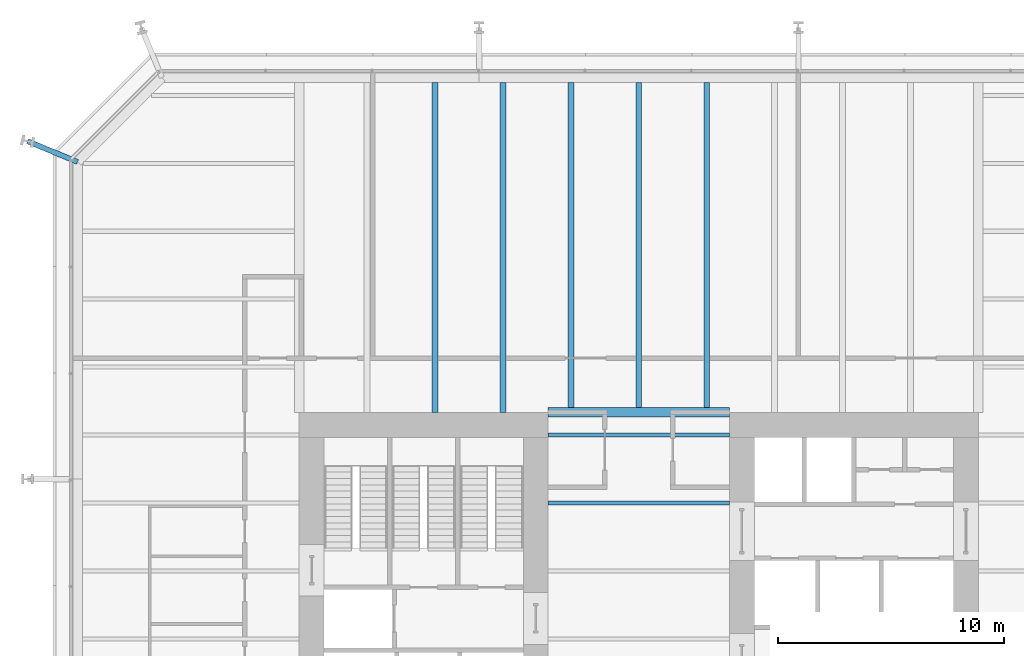
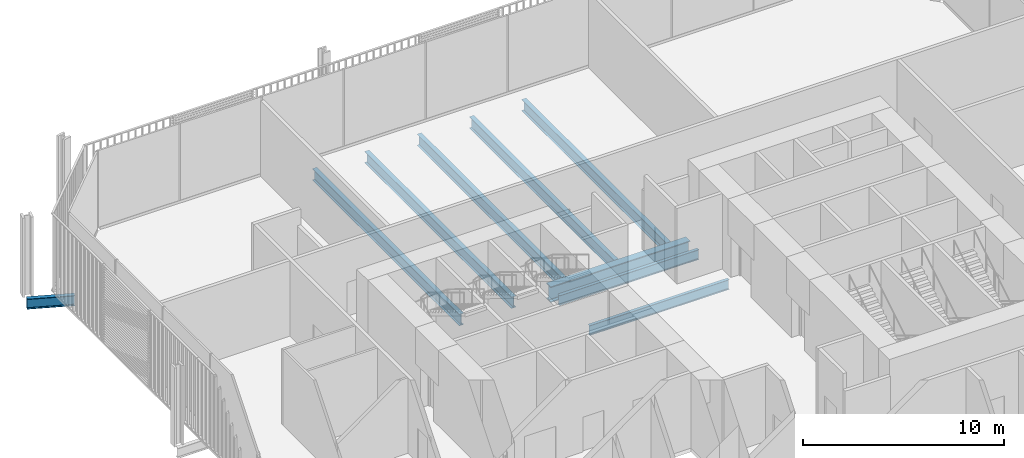
# One storey, part 13 of 22: 9 beams.
"""IFC4 building model written with IfcOpenShell, lengths in metres."""

from ifc_helpers import new_model, si_unit, direction, frame, origin, origin_2d, place, context, subcontext, project, spatial, i_section, extrude, material, material_profile, profile_set, type_object, element, save


model = new_model("IFC4")

# Units and contexts
model_context = context("Model", 3, precision=1e-05, world=origin(), true_north=direction((0.0, 1.0)))
body_context = subcontext(model_context, "Body", "Model", "MODEL_VIEW")
ifc_project = project(units=[si_unit("LENGTHUNIT", "METRE"), si_unit("AREAUNIT", "SQUARE_METRE"), si_unit("VOLUMEUNIT", "CUBIC_METRE"), si_unit("PLANEANGLEUNIT", "RADIAN"), si_unit("MASSUNIT", "GRAM", prefix="KILO")], contexts=[model_context])

# Site, building, storey
site_placement = place(None, origin())
site = spatial("IfcSite", under=ifc_project, at=site_placement, CompositionType="ELEMENT")
building_placement = place(site_placement, origin())
building = spatial("IfcBuilding", under=site, at=building_placement, Name="Millrace Tower", CompositionType="ELEMENT")
storey_placement = place(building_placement, frame((0.0, 0.0, 49.699951171875)))
storey = spatial("IfcBuildingStorey", under=building, at=storey_placement, Name="L11", CompositionType="ELEMENT", Elevation=49.699951171875)

# Beams
ifc_material_1 = material(Name="Steel ASTM A992 Grade 50", Category="steel")
ifc_material_profile_1 = material_profile(ifc_material_1, i_section(OverallWidth=0.177978515625, OverallDepth=0.599365234375, WebThickness=0.010009765625, FlangeThickness=0.012939453125, FilletRadius=0.012939453125, at=origin_2d()))
ifc_profile_set_1 = profile_set([ifc_material_profile_1], Name="Steel ASTM A992 Grade 50")
beam_type_1 = type_object("IfcBeamType", Name="Floor beam W24x55", PredefinedType="JOIST", material=ifc_profile_set_1)
for number, where, z_axis, x_axis, name in (
    (1, (-4.0, 6.0, -0.524658203125), (1.0, 0.0, 0.0), (0.0, 1.0, 0.0), "BM-A-L11-S1-S026"),
    (2, (-4.0, 9.0, -0.524658203125), (1.0, 0.0, 0.0), (0.0, 1.0, 0.0), "BM-A-L11-S1-S029"),
):
    element("IfcBeam", number, at=place(storey_placement, frame(where, z_axis=z_axis, x_axis=x_axis)), inside=storey, type_object=beam_type_1, Name=name, PredefinedType="JOIST", context=body_context, shape_type="SweptSolid", body=[
        extrude(i_section(OverallWidth=0.177978515625, OverallDepth=0.599365234375, WebThickness=0.010009765625, FlangeThickness=0.012939453125, FilletRadius=0.012939453125, at=origin_2d()), origin(), (0.0, 0.0, 1.0), 8.0),
    ])
ifc_material_2 = material(Name="Steel ASTM A992 Grade 50", Category="steel")
ifc_material_profile_2 = material_profile(ifc_material_2, i_section(OverallWidth=0.256591796875, OverallDepth=0.693359375, WebThickness=0.014404296875, FlangeThickness=0.023681640625, FilletRadius=0.01513671875, at=origin_2d()))
ifc_profile_set_2 = profile_set([ifc_material_profile_2], Name="Steel ASTM A992 Grade 50")
beam_type_2 = type_object("IfcBeamType", Name="Floor beam W27x114", PredefinedType="JOIST", material=ifc_profile_set_2)
for number, where, z_axis, x_axis, name in (
    (3, (-9.0, 10.0, -0.57177734375), (0.0, 1.0, 0.0), (-1.0, 0.0, 0.0), "BM-A-L11-S1-S044"),
    (4, (-6.0, 10.0, -0.57177734375), (0.0, 1.0, 0.0), (-1.0, 0.0, 0.0), "BM-A-L11-S1-S046"),
):
    element("IfcBeam", number, at=place(storey_placement, frame(where, z_axis=z_axis, x_axis=x_axis)), inside=storey, type_object=beam_type_2, Name=name, PredefinedType="JOIST", context=body_context, shape_type="SweptSolid", body=[
        extrude(i_section(OverallWidth=0.256591796875, OverallDepth=0.693359375, WebThickness=0.014404296875, FlangeThickness=0.023681640625, FilletRadius=0.01513671875, at=origin_2d()), origin(), (0.0, 0.0, 1.0), 14.578369140625),
    ])
for number, where, z_axis, x_axis, name in (
    (5, (-3.0, 10.212158203125, -0.57177734375), (0.0, 1.0, 0.0), (-1.0, 0.0, 0.0), "BM-A-L11-S1-S048"),
    (6, (0.0, 10.212158203125, -0.57177734375), (0.0, 1.0, 0.0), (-1.0, 0.0, 0.0), "BM-A-L11-S1-S050"),
    (7, (3.0, 10.212158203125, -0.57177734375), (0.0, 1.0, 0.0), (-1.0, 0.0, 0.0), "BM-A-L11-S1-S052"),
):
    element("IfcBeam", number, at=place(storey_placement, frame(where, z_axis=z_axis, x_axis=x_axis)), inside=storey, type_object=beam_type_2, Name=name, PredefinedType="JOIST", context=body_context, shape_type="SweptSolid", body=[
        extrude(i_section(OverallWidth=0.256591796875, OverallDepth=0.693359375, WebThickness=0.014404296875, FlangeThickness=0.023681640625, FilletRadius=0.01513671875, at=origin_2d()), origin(), (0.0, 0.0, 1.0), 14.3662109375),
    ])
ifc_material_3 = material(Name="Steel ASTM A992 Grade 50", Category="steel")
ifc_material_profile_3 = material_profile(ifc_material_3, i_section(OverallWidth=0.424072265625, OverallDepth=0.947509765625, WebThickness=0.02392578125, FlangeThickness=0.042724609375, FilletRadius=0.024169921875, at=origin_2d()))
ifc_profile_set_3 = profile_set([ifc_material_profile_3], Name="Steel ASTM A992 Grade 50")
beam_type_3 = type_object("IfcBeamType", Name="Girder short span W36x302", PredefinedType="BEAM", material=ifc_profile_set_3)
beam_1_placement = place(storey_placement, frame((-4.0, 10.0, -0.69873046875), z_axis=(1.0, 0.0, 0.0), x_axis=(0.0, 1.0, 0.0)))
element("IfcBeam", 8, at=beam_1_placement, inside=storey, type_object=beam_type_3, Name="BM-A-L11-S1-G064", PredefinedType="BEAM", context=body_context, shape_type="SweptSolid", body=[
    extrude(i_section(OverallWidth=0.424072265625, OverallDepth=0.947509765625, WebThickness=0.02392578125, FlangeThickness=0.042724609375, FilletRadius=0.024169921875, at=origin_2d()), origin(), (0.0, 0.0, 1.0), 8.0),
])
ifc_material_4 = material(Name="Steel ASTM A992 Grade 50", Category="steel")
ifc_material_profile_4 = material_profile(ifc_material_4, i_section(OverallWidth=0.23046875, OverallDepth=0.6171875, WebThickness=0.01318359375, FlangeThickness=0.022216796875, FilletRadius=0.012939453125, at=origin_2d()))
ifc_profile_set_4 = profile_set([ifc_material_profile_4], Name="Steel ASTM A992 Grade 50")
beam_type_4 = type_object("IfcBeamType", Name="Link beam W24x94", PredefinedType="BEAM", material=ifc_profile_set_4)
beam_2_placement = place(storey_placement, frame((-24.7890625, 21.062744140625, -0.533447265625), z_axis=(-0.923883789366, 0.382673155247, 0.0), x_axis=(-0.382673155247, -0.923883789366, 0.0)))
element("IfcBeam", 9, at=beam_2_placement, inside=storey, type_object=beam_type_4, Name="LNK-A-L11-S1-04", PredefinedType="BEAM", context=body_context, shape_type="SweptSolid", body=[
    extrude(i_section(OverallWidth=0.23046875, OverallDepth=0.6171875, WebThickness=0.01318359375, FlangeThickness=0.022216796875, FilletRadius=0.012939453125, at=origin_2d()), origin(), (0.0, 0.0, 1.0), 2.39306640625),
])

save(model, "model.ifc")
